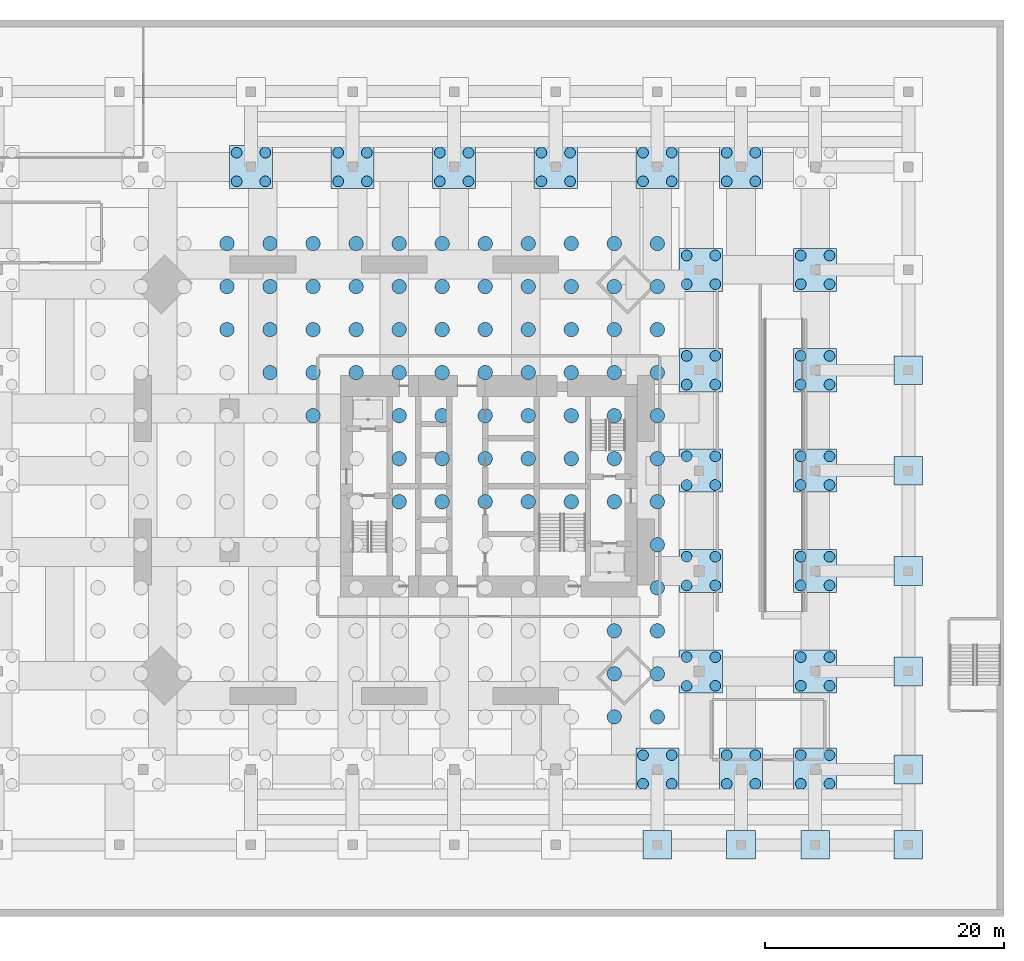
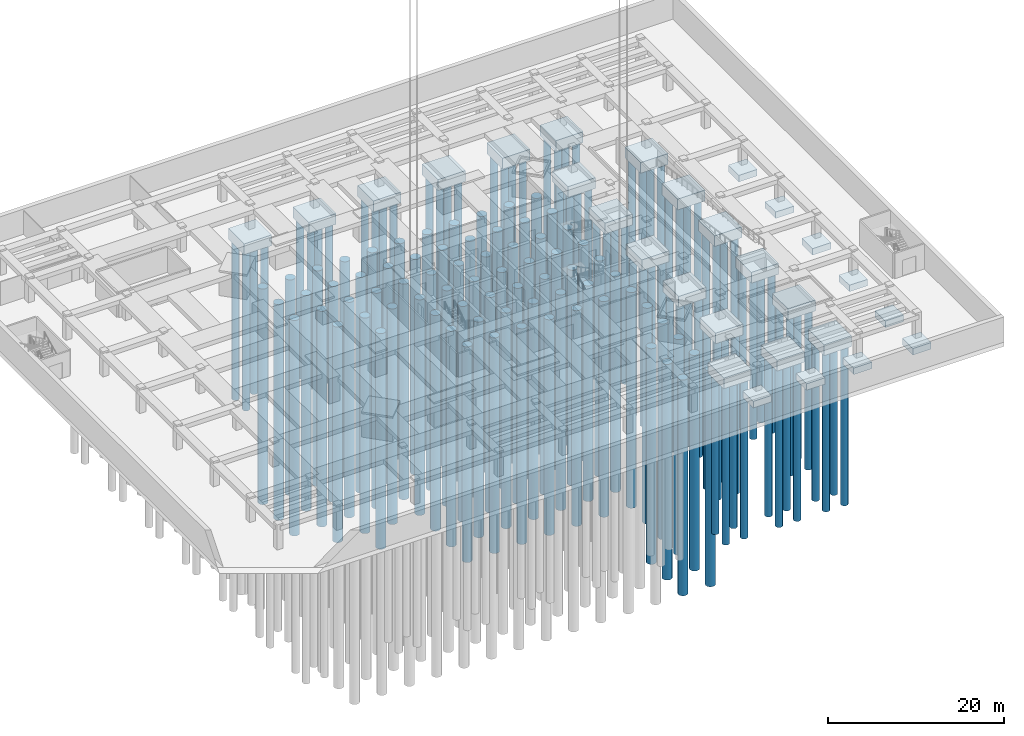
# One storey, part 2 of 15: 149 piles, 28 footings.
"""IFC4 building model written with IfcOpenShell, lengths in metres."""

from ifc_helpers import new_model, si_unit, direction, frame, origin, origin_2d, place, context, subcontext, project, spatial, polyline, circle, outline, extrude, material, layer, layer_set, material_profile, profile_set, type_object, element, save


model = new_model("IFC4")

# Units and contexts
model_context = context("Model", 3, precision=1e-05, world=origin(), true_north=direction((0.0, 1.0)))
body_context = subcontext(model_context, "Body", "Model", "MODEL_VIEW")
ifc_project = project(units=[si_unit("LENGTHUNIT", "METRE"), si_unit("AREAUNIT", "SQUARE_METRE"), si_unit("VOLUMEUNIT", "CUBIC_METRE"), si_unit("PLANEANGLEUNIT", "RADIAN"), si_unit("MASSUNIT", "GRAM", prefix="KILO")], contexts=[model_context])

# Site, building, storey
site_placement = place(None, origin())
site = spatial("IfcSite", under=ifc_project, at=site_placement, CompositionType="ELEMENT")
building_placement = place(site_placement, origin())
building = spatial("IfcBuilding", under=site, at=building_placement, Name="Jalousie Tower", CompositionType="ELEMENT")
storey_placement = place(building_placement, frame((0.0, 0.0, -7.5)))
storey = spatial("IfcBuildingStorey", under=building, at=storey_placement, Name="B2", CompositionType="ELEMENT", Elevation=-7.5)

# Piles
ifc_material_1 = material(Name="Concrete f'c 40 MPa", Category="concrete")
ifc_material_profile_1 = material_profile(ifc_material_1, circle(Radius=0.60009765625, at=origin_2d()), Name="BORED PILE D1200")
ifc_profile_set_1 = profile_set([ifc_material_profile_1], Name="Concrete f'c 40 MPa")
pile_type_1 = type_object("IfcPileType", Name="BORED PILE 1200", PredefinedType="BORED", material=ifc_profile_set_1)
for number, where, z_axis, x_axis, name in (
    (1, (42.39990234375, -0.800048828125, -3.60009765625), (0.0, 0.0, -1.0), (1.0, 0.0, 0.0), "Raft pile R01-13"),
    (2, (46.0, -0.800048828125, -3.60009765625), (0.0, 0.0, -1.0), (1.0, 0.0, 0.0), "Raft pile R01-14"),
    (3, (42.39990234375, 2.800048828125, -3.60009765625), (0.0, 0.0, -1.0), (1.0, 0.0, 0.0), "Raft pile R02-13"),
    (4, (46.0, 2.800048828125, -3.60009765625), (0.0, 0.0, -1.0), (1.0, 0.0, 0.0), "Raft pile R02-14"),
    (5, (42.39990234375, 6.39990234375, -3.60009765625), (0.0, 0.0, -1.0), (1.0, 0.0, 0.0), "Raft pile R03-13"),
    (6, (46.0, 6.39990234375, -3.60009765625), (0.0, 0.0, -1.0), (1.0, 0.0, 0.0), "Raft pile R03-14"),
    (7, (46.0, 10.0, -3.60009765625), (0.0, 0.0, -1.0), (1.0, 0.0, 0.0), "Raft pile R04-14"),
    (8, (46.0, 13.60009765625, -3.60009765625), (0.0, 0.0, -1.0), (1.0, 0.0, 0.0), "Raft pile R05-14"),
    (9, (24.39990234375, 17.199951171875, -3.60009765625), (0.0, 0.0, -1.0), (1.0, 0.0, 0.0), "Raft pile R06-08"),
    (10, (28.0, 17.199951171875, -3.60009765625), (0.0, 0.0, -1.0), (1.0, 0.0, 0.0), "Raft pile R06-09"),
    (11, (31.60009765625, 17.199951171875, -3.60009765625), (0.0, 0.0, -1.0), (1.0, 0.0, 0.0), "Raft pile R06-10"),
    (12, (35.199951171875, 17.199951171875, -3.60009765625), (0.0, 0.0, -1.0), (1.0, 0.0, 0.0), "Raft pile R06-11"),
    (13, (38.800048828125, 17.199951171875, -3.60009765625), (0.0, 0.0, -1.0), (1.0, 0.0, 0.0), "Raft pile R06-12"),
    (14, (42.39990234375, 17.199951171875, -3.60009765625), (0.0, 0.0, -1.0), (1.0, 0.0, 0.0), "Raft pile R06-13"),
    (15, (46.0, 17.199951171875, -3.60009765625), (0.0, 0.0, -1.0), (1.0, 0.0, 0.0), "Raft pile R06-14"),
    (16, (24.39990234375, 20.800048828125, -3.60009765625), (0.0, 0.0, -1.0), (1.0, 0.0, 0.0), "Raft pile R07-08"),
    (17, (28.0, 20.800048828125, -3.60009765625), (0.0, 0.0, -1.0), (1.0, 0.0, 0.0), "Raft pile R07-09"),
    (18, (31.60009765625, 20.800048828125, -3.60009765625), (0.0, 0.0, -1.0), (1.0, 0.0, 0.0), "Raft pile R07-10"),
    (19, (35.199951171875, 20.800048828125, -3.60009765625), (0.0, 0.0, -1.0), (1.0, 0.0, 0.0), "Raft pile R07-11"),
    (20, (38.800048828125, 20.800048828125, -3.60009765625), (0.0, 0.0, -1.0), (1.0, 0.0, 0.0), "Raft pile R07-12"),
    (21, (42.39990234375, 20.800048828125, -3.60009765625), (0.0, 0.0, -1.0), (1.0, 0.0, 0.0), "Raft pile R07-13"),
    (22, (46.0, 20.800048828125, -3.60009765625), (0.0, 0.0, -1.0), (1.0, 0.0, 0.0), "Raft pile R07-14"),
    (23, (17.199951171875, 24.39990234375, -3.60009765625), (0.0, 0.0, -1.0), (1.0, 0.0, 0.0), "Raft pile R08-06"),
    (24, (24.39990234375, 24.39990234375, -3.60009765625), (0.0, 0.0, -1.0), (1.0, 0.0, 0.0), "Raft pile R08-08"),
    (25, (28.0, 24.39990234375, -3.60009765625), (0.0, 0.0, -1.0), (1.0, 0.0, 0.0), "Raft pile R08-09"),
    (26, (31.60009765625, 24.39990234375, -3.60009765625), (0.0, 0.0, -1.0), (1.0, 0.0, 0.0), "Raft pile R08-10"),
    (27, (35.199951171875, 24.39990234375, -3.60009765625), (0.0, 0.0, -1.0), (1.0, 0.0, 0.0), "Raft pile R08-11"),
    (28, (38.800048828125, 24.39990234375, -3.60009765625), (0.0, 0.0, -1.0), (1.0, 0.0, 0.0), "Raft pile R08-12"),
    (29, (42.39990234375, 24.39990234375, -3.60009765625), (0.0, 0.0, -1.0), (1.0, 0.0, 0.0), "Raft pile R08-13"),
    (30, (46.0, 24.39990234375, -3.60009765625), (0.0, 0.0, -1.0), (1.0, 0.0, 0.0), "Raft pile R08-14"),
    (31, (13.60009765625, 28.0, -3.60009765625), (0.0, 0.0, -1.0), (1.0, 0.0, 0.0), "Raft pile R09-05"),
    (32, (17.199951171875, 28.0, -3.60009765625), (0.0, 0.0, -1.0), (1.0, 0.0, 0.0), "Raft pile R09-06"),
    (33, (20.800048828125, 28.0, -3.60009765625), (0.0, 0.0, -1.0), (1.0, 0.0, 0.0), "Raft pile R09-07"),
    (34, (24.39990234375, 28.0, -3.60009765625), (0.0, 0.0, -1.0), (1.0, 0.0, 0.0), "Raft pile R09-08"),
    (35, (28.0, 28.0, -3.60009765625), (0.0, 0.0, -1.0), (1.0, 0.0, 0.0), "Raft pile R09-09"),
    (36, (31.60009765625, 28.0, -3.60009765625), (0.0, 0.0, -1.0), (1.0, 0.0, 0.0), "Raft pile R09-10"),
    (37, (35.199951171875, 28.0, -3.60009765625), (0.0, 0.0, -1.0), (1.0, 0.0, 0.0), "Raft pile R09-11"),
    (38, (38.800048828125, 28.0, -3.60009765625), (0.0, 0.0, -1.0), (1.0, 0.0, 0.0), "Raft pile R09-12"),
    (39, (42.39990234375, 28.0, -3.60009765625), (0.0, 0.0, -1.0), (1.0, 0.0, 0.0), "Raft pile R09-13"),
    (40, (46.0, 28.0, -3.60009765625), (0.0, 0.0, -1.0), (1.0, 0.0, 0.0), "Raft pile R09-14"),
    (41, (10.0, 31.60009765625, -3.60009765625), (0.0, 0.0, -1.0), (1.0, 0.0, 0.0), "Raft pile R10-04"),
    (42, (13.60009765625, 31.60009765625, -3.60009765625), (0.0, 0.0, -1.0), (1.0, 0.0, 0.0), "Raft pile R10-05"),
    (43, (17.199951171875, 31.60009765625, -3.60009765625), (0.0, 0.0, -1.0), (1.0, 0.0, 0.0), "Raft pile R10-06"),
    (44, (20.800048828125, 31.60009765625, -3.60009765625), (0.0, 0.0, -1.0), (1.0, 0.0, 0.0), "Raft pile R10-07"),
    (45, (24.39990234375, 31.60009765625, -3.60009765625), (0.0, 0.0, -1.0), (1.0, 0.0, 0.0), "Raft pile R10-08"),
    (46, (28.0, 31.60009765625, -3.60009765625), (0.0, 0.0, -1.0), (1.0, 0.0, 0.0), "Raft pile R10-09"),
    (47, (31.60009765625, 31.60009765625, -3.60009765625), (0.0, 0.0, -1.0), (1.0, 0.0, 0.0), "Raft pile R10-10"),
    (48, (35.199951171875, 31.60009765625, -3.60009765625), (0.0, 0.0, -1.0), (1.0, 0.0, 0.0), "Raft pile R10-11"),
    (49, (38.800048828125, 31.60009765625, -3.60009765625), (0.0, 0.0, -1.0), (1.0, 0.0, 0.0), "Raft pile R10-12"),
    (50, (42.39990234375, 31.60009765625, -3.60009765625), (0.0, 0.0, -1.0), (1.0, 0.0, 0.0), "Raft pile R10-13"),
    (51, (46.0, 31.60009765625, -3.60009765625), (0.0, 0.0, -1.0), (1.0, 0.0, 0.0), "Raft pile R10-14"),
    (52, (10.0, 35.199951171875, -3.60009765625), (0.0, 0.0, -1.0), (1.0, 0.0, 0.0), "Raft pile R11-04"),
    (53, (13.60009765625, 35.199951171875, -3.60009765625), (0.0, 0.0, -1.0), (1.0, 0.0, 0.0), "Raft pile R11-05"),
    (54, (17.199951171875, 35.199951171875, -3.60009765625), (0.0, 0.0, -1.0), (1.0, 0.0, 0.0), "Raft pile R11-06"),
    (55, (20.800048828125, 35.199951171875, -3.60009765625), (0.0, 0.0, -1.0), (1.0, 0.0, 0.0), "Raft pile R11-07"),
    (56, (24.39990234375, 35.199951171875, -3.60009765625), (0.0, 0.0, -1.0), (1.0, 0.0, 0.0), "Raft pile R11-08"),
    (57, (28.0, 35.199951171875, -3.60009765625), (0.0, 0.0, -1.0), (1.0, 0.0, 0.0), "Raft pile R11-09"),
    (58, (31.60009765625, 35.199951171875, -3.60009765625), (0.0, 0.0, -1.0), (1.0, 0.0, 0.0), "Raft pile R11-10"),
    (59, (35.199951171875, 35.199951171875, -3.60009765625), (0.0, 0.0, -1.0), (1.0, 0.0, 0.0), "Raft pile R11-11"),
    (60, (38.800048828125, 35.199951171875, -3.60009765625), (0.0, 0.0, -1.0), (1.0, 0.0, 0.0), "Raft pile R11-12"),
    (61, (42.39990234375, 35.199951171875, -3.60009765625), (0.0, 0.0, -1.0), (1.0, 0.0, 0.0), "Raft pile R11-13"),
    (62, (46.0, 35.199951171875, -3.60009765625), (0.0, 0.0, -1.0), (1.0, 0.0, 0.0), "Raft pile R11-14"),
    (63, (10.0, 38.800048828125, -3.60009765625), (0.0, 0.0, -1.0), (1.0, 0.0, 0.0), "Raft pile R12-04"),
    (64, (13.60009765625, 38.800048828125, -3.60009765625), (0.0, 0.0, -1.0), (1.0, 0.0, 0.0), "Raft pile R12-05"),
    (65, (17.199951171875, 38.800048828125, -3.60009765625), (0.0, 0.0, -1.0), (1.0, 0.0, 0.0), "Raft pile R12-06"),
    (66, (20.800048828125, 38.800048828125, -3.60009765625), (0.0, 0.0, -1.0), (1.0, 0.0, 0.0), "Raft pile R12-07"),
    (67, (24.39990234375, 38.800048828125, -3.60009765625), (0.0, 0.0, -1.0), (1.0, 0.0, 0.0), "Raft pile R12-08"),
    (68, (28.0, 38.800048828125, -3.60009765625), (0.0, 0.0, -1.0), (1.0, 0.0, 0.0), "Raft pile R12-09"),
    (69, (31.60009765625, 38.800048828125, -3.60009765625), (0.0, 0.0, -1.0), (1.0, 0.0, 0.0), "Raft pile R12-10"),
    (70, (35.199951171875, 38.800048828125, -3.60009765625), (0.0, 0.0, -1.0), (1.0, 0.0, 0.0), "Raft pile R12-11"),
    (71, (38.800048828125, 38.800048828125, -3.60009765625), (0.0, 0.0, -1.0), (1.0, 0.0, 0.0), "Raft pile R12-12"),
    (72, (42.39990234375, 38.800048828125, -3.60009765625), (0.0, 0.0, -1.0), (1.0, 0.0, 0.0), "Raft pile R12-13"),
    (73, (46.0, 38.800048828125, -3.60009765625), (0.0, 0.0, -1.0), (1.0, 0.0, 0.0), "Raft pile R12-14"),
):
    element("IfcPile", number, at=place(storey_placement, frame(where, z_axis=z_axis, x_axis=x_axis)), inside=storey, type_object=pile_type_1, Name=name, PredefinedType="BORED", context=body_context, shape_type="SweptSolid", body=[
        extrude(circle(Radius=0.60009765625, at=origin_2d()), origin(), (0.0, 0.0, 1.0), 30.0),
    ])
ifc_material_2 = material(Name="Concrete f'c 40 MPa", Category="concrete")
ifc_material_profile_2 = material_profile(ifc_material_2, circle(Radius=0.449951171875, at=origin_2d()), Name="BORED PILE D900")
ifc_profile_set_2 = profile_set([ifc_material_profile_2], Name="Concrete f'c 40 MPa")
pile_type_2 = type_object("IfcPileType", Name="BORED PILE 900", PredefinedType="BORED", material=ifc_profile_set_2)
for number, where, z_axis, x_axis, name in (
    (74, (44.800048828125, -6.39990234375, -2.10009765625), (0.0, 0.0, -1.0), (1.0, 0.0, 0.0), "Pile PC4-07/1"),
    (75, (47.199951171875, -6.39990234375, -2.10009765625), (0.0, 0.0, -1.0), (1.0, 0.0, 0.0), "Pile PC4-07/2"),
    (76, (47.199951171875, -4.0, -2.10009765625), (0.0, 0.0, -1.0), (1.0, 0.0, 0.0), "Pile PC4-07/3"),
    (77, (44.800048828125, -4.0, -2.10009765625), (0.0, 0.0, -1.0), (1.0, 0.0, 0.0), "Pile PC4-07/4"),
    (78, (51.800048828125, -6.39990234375, -2.10009765625), (0.0, 0.0, -1.0), (1.0, 0.0, 0.0), "Pile PC4-08/1"),
    (79, (54.199951171875, -6.39990234375, -2.10009765625), (0.0, 0.0, -1.0), (1.0, 0.0, 0.0), "Pile PC4-08/2"),
    (80, (54.199951171875, -4.0, -2.10009765625), (0.0, 0.0, -1.0), (1.0, 0.0, 0.0), "Pile PC4-08/3"),
    (81, (51.800048828125, -4.0, -2.10009765625), (0.0, 0.0, -1.0), (1.0, 0.0, 0.0), "Pile PC4-08/4"),
    (82, (58.0, -6.39990234375, -2.10009765625), (0.0, 0.0, -1.0), (1.0, 0.0, 0.0), "Pile PC4-09/1"),
    (83, (60.39990234375, -6.39990234375, -2.10009765625), (0.0, 0.0, -1.0), (1.0, 0.0, 0.0), "Pile PC4-09/2"),
    (84, (60.39990234375, -4.0, -2.10009765625), (0.0, 0.0, -1.0), (1.0, 0.0, 0.0), "Pile PC4-09/3"),
    (85, (58.0, -4.0, -2.10009765625), (0.0, 0.0, -1.0), (1.0, 0.0, 0.0), "Pile PC4-09/4"),
    (86, (48.449951171875, 1.800048828125, -2.10009765625), (0.0, 0.0, -1.0), (1.0, 0.0, 0.0), "Pile PC4-11/1"),
    (87, (50.85009765625, 1.800048828125, -2.10009765625), (0.0, 0.0, -1.0), (1.0, 0.0, 0.0), "Pile PC4-11/2"),
    (88, (50.85009765625, 4.199951171875, -2.10009765625), (0.0, 0.0, -1.0), (1.0, 0.0, 0.0), "Pile PC4-11/3"),
    (89, (48.449951171875, 4.199951171875, -2.10009765625), (0.0, 0.0, -1.0), (1.0, 0.0, 0.0), "Pile PC4-11/4"),
    (90, (58.0, 1.800048828125, -2.10009765625), (0.0, 0.0, -1.0), (1.0, 0.0, 0.0), "Pile PC4-12/1"),
    (91, (60.39990234375, 1.800048828125, -2.10009765625), (0.0, 0.0, -1.0), (1.0, 0.0, 0.0), "Pile PC4-12/2"),
    (92, (60.39990234375, 4.199951171875, -2.10009765625), (0.0, 0.0, -1.0), (1.0, 0.0, 0.0), "Pile PC4-12/3"),
    (93, (58.0, 4.199951171875, -2.10009765625), (0.0, 0.0, -1.0), (1.0, 0.0, 0.0), "Pile PC4-12/4"),
    (94, (48.449951171875, 10.199951171875, -2.10009765625), (0.0, 0.0, -1.0), (1.0, 0.0, 0.0), "Pile PC4-14/1"),
    (95, (50.85009765625, 10.199951171875, -2.10009765625), (0.0, 0.0, -1.0), (1.0, 0.0, 0.0), "Pile PC4-14/2"),
    (96, (50.85009765625, 12.60009765625, -2.10009765625), (0.0, 0.0, -1.0), (1.0, 0.0, 0.0), "Pile PC4-14/3"),
    (97, (48.449951171875, 12.60009765625, -2.10009765625), (0.0, 0.0, -1.0), (1.0, 0.0, 0.0), "Pile PC4-14/4"),
    (98, (58.0, 10.199951171875, -2.10009765625), (0.0, 0.0, -1.0), (1.0, 0.0, 0.0), "Pile PC4-15/1"),
    (99, (60.39990234375, 10.199951171875, -2.10009765625), (0.0, 0.0, -1.0), (1.0, 0.0, 0.0), "Pile PC4-15/2"),
    (100, (60.39990234375, 12.60009765625, -2.10009765625), (0.0, 0.0, -1.0), (1.0, 0.0, 0.0), "Pile PC4-15/3"),
    (101, (58.0, 12.60009765625, -2.10009765625), (0.0, 0.0, -1.0), (1.0, 0.0, 0.0), "Pile PC4-15/4"),
    (102, (48.449951171875, 18.60009765625, -2.10009765625), (0.0, 0.0, -1.0), (1.0, 0.0, 0.0), "Pile PC4-17/1"),
    (103, (50.85009765625, 18.60009765625, -2.10009765625), (0.0, 0.0, -1.0), (1.0, 0.0, 0.0), "Pile PC4-17/2"),
    (104, (50.85009765625, 21.0, -2.10009765625), (0.0, 0.0, -1.0), (1.0, 0.0, 0.0), "Pile PC4-17/3"),
    (105, (48.449951171875, 21.0, -2.10009765625), (0.0, 0.0, -1.0), (1.0, 0.0, 0.0), "Pile PC4-17/4"),
    (106, (58.0, 18.60009765625, -2.10009765625), (0.0, 0.0, -1.0), (1.0, 0.0, 0.0), "Pile PC4-18/1"),
    (107, (60.39990234375, 18.60009765625, -2.10009765625), (0.0, 0.0, -1.0), (1.0, 0.0, 0.0), "Pile PC4-18/2"),
    (108, (60.39990234375, 21.0, -2.10009765625), (0.0, 0.0, -1.0), (1.0, 0.0, 0.0), "Pile PC4-18/3"),
    (109, (58.0, 21.0, -2.10009765625), (0.0, 0.0, -1.0), (1.0, 0.0, 0.0), "Pile PC4-18/4"),
    (110, (48.449951171875, 27.0, -2.10009765625), (0.0, 0.0, -1.0), (1.0, 0.0, 0.0), "Pile PC4-20/1"),
    (111, (50.85009765625, 27.0, -2.10009765625), (0.0, 0.0, -1.0), (1.0, 0.0, 0.0), "Pile PC4-20/2"),
    (112, (50.85009765625, 29.39990234375, -2.10009765625), (0.0, 0.0, -1.0), (1.0, 0.0, 0.0), "Pile PC4-20/3"),
    (113, (48.449951171875, 29.39990234375, -2.10009765625), (0.0, 0.0, -1.0), (1.0, 0.0, 0.0), "Pile PC4-20/4"),
    (114, (58.0, 27.0, -2.10009765625), (0.0, 0.0, -1.0), (1.0, 0.0, 0.0), "Pile PC4-21/1"),
    (115, (60.39990234375, 27.0, -2.10009765625), (0.0, 0.0, -1.0), (1.0, 0.0, 0.0), "Pile PC4-21/2"),
    (116, (60.39990234375, 29.39990234375, -2.10009765625), (0.0, 0.0, -1.0), (1.0, 0.0, 0.0), "Pile PC4-21/3"),
    (117, (58.0, 29.39990234375, -2.10009765625), (0.0, 0.0, -1.0), (1.0, 0.0, 0.0), "Pile PC4-21/4"),
    (118, (48.449951171875, 35.39990234375, -2.10009765625), (0.0, 0.0, -1.0), (1.0, 0.0, 0.0), "Pile PC4-23/1"),
    (119, (50.85009765625, 35.39990234375, -2.10009765625), (0.0, 0.0, -1.0), (1.0, 0.0, 0.0), "Pile PC4-23/2"),
    (120, (50.85009765625, 37.800048828125, -2.10009765625), (0.0, 0.0, -1.0), (1.0, 0.0, 0.0), "Pile PC4-23/3"),
    (121, (48.449951171875, 37.800048828125, -2.10009765625), (0.0, 0.0, -1.0), (1.0, 0.0, 0.0), "Pile PC4-23/4"),
    (122, (58.0, 35.39990234375, -2.10009765625), (0.0, 0.0, -1.0), (1.0, 0.0, 0.0), "Pile PC4-24/1"),
    (123, (60.39990234375, 35.39990234375, -2.10009765625), (0.0, 0.0, -1.0), (1.0, 0.0, 0.0), "Pile PC4-24/2"),
    (124, (60.39990234375, 37.800048828125, -2.10009765625), (0.0, 0.0, -1.0), (1.0, 0.0, 0.0), "Pile PC4-24/3"),
    (125, (58.0, 37.800048828125, -2.10009765625), (0.0, 0.0, -1.0), (1.0, 0.0, 0.0), "Pile PC4-24/4"),
    (126, (10.800048828125, 44.0, -2.10009765625), (0.0, 0.0, -1.0), (1.0, 0.0, 0.0), "Pile PC4-27/1"),
    (127, (13.199951171875, 44.0, -2.10009765625), (0.0, 0.0, -1.0), (1.0, 0.0, 0.0), "Pile PC4-27/2"),
    (128, (13.199951171875, 46.39990234375, -2.10009765625), (0.0, 0.0, -1.0), (1.0, 0.0, 0.0), "Pile PC4-27/3"),
    (129, (10.800048828125, 46.39990234375, -2.10009765625), (0.0, 0.0, -1.0), (1.0, 0.0, 0.0), "Pile PC4-27/4"),
    (130, (19.300048828125, 44.0, -2.10009765625), (0.0, 0.0, -1.0), (1.0, 0.0, 0.0), "Pile PC4-28/1"),
    (131, (21.699951171875, 44.0, -2.10009765625), (0.0, 0.0, -1.0), (1.0, 0.0, 0.0), "Pile PC4-28/2"),
    (132, (21.699951171875, 46.39990234375, -2.10009765625), (0.0, 0.0, -1.0), (1.0, 0.0, 0.0), "Pile PC4-28/3"),
    (133, (19.300048828125, 46.39990234375, -2.10009765625), (0.0, 0.0, -1.0), (1.0, 0.0, 0.0), "Pile PC4-28/4"),
    (134, (27.800048828125, 44.0, -2.10009765625), (0.0, 0.0, -1.0), (1.0, 0.0, 0.0), "Pile PC4-29/1"),
    (135, (30.199951171875, 44.0, -2.10009765625), (0.0, 0.0, -1.0), (1.0, 0.0, 0.0), "Pile PC4-29/2"),
    (136, (30.199951171875, 46.39990234375, -2.10009765625), (0.0, 0.0, -1.0), (1.0, 0.0, 0.0), "Pile PC4-29/3"),
    (137, (27.800048828125, 46.39990234375, -2.10009765625), (0.0, 0.0, -1.0), (1.0, 0.0, 0.0), "Pile PC4-29/4"),
    (138, (36.300048828125, 44.0, -2.10009765625), (0.0, 0.0, -1.0), (1.0, 0.0, 0.0), "Pile PC4-30/1"),
    (139, (38.699951171875, 44.0, -2.10009765625), (0.0, 0.0, -1.0), (1.0, 0.0, 0.0), "Pile PC4-30/2"),
    (140, (38.699951171875, 46.39990234375, -2.10009765625), (0.0, 0.0, -1.0), (1.0, 0.0, 0.0), "Pile PC4-30/3"),
    (141, (36.300048828125, 46.39990234375, -2.10009765625), (0.0, 0.0, -1.0), (1.0, 0.0, 0.0), "Pile PC4-30/4"),
    (142, (44.800048828125, 44.0, -2.10009765625), (0.0, 0.0, -1.0), (1.0, 0.0, 0.0), "Pile PC4-31/1"),
    (143, (47.199951171875, 44.0, -2.10009765625), (0.0, 0.0, -1.0), (1.0, 0.0, 0.0), "Pile PC4-31/2"),
    (144, (47.199951171875, 46.39990234375, -2.10009765625), (0.0, 0.0, -1.0), (1.0, 0.0, 0.0), "Pile PC4-31/3"),
    (145, (44.800048828125, 46.39990234375, -2.10009765625), (0.0, 0.0, -1.0), (1.0, 0.0, 0.0), "Pile PC4-31/4"),
    (146, (51.800048828125, 44.0, -2.10009765625), (0.0, 0.0, -1.0), (1.0, 0.0, 0.0), "Pile PC4-32/1"),
    (147, (54.199951171875, 44.0, -2.10009765625), (0.0, 0.0, -1.0), (1.0, 0.0, 0.0), "Pile PC4-32/2"),
    (148, (54.199951171875, 46.39990234375, -2.10009765625), (0.0, 0.0, -1.0), (1.0, 0.0, 0.0), "Pile PC4-32/3"),
    (149, (51.800048828125, 46.39990234375, -2.10009765625), (0.0, 0.0, -1.0), (1.0, 0.0, 0.0), "Pile PC4-32/4"),
):
    element("IfcPile", number, at=place(storey_placement, frame(where, z_axis=z_axis, x_axis=x_axis)), inside=storey, type_object=pile_type_2, Name=name, PredefinedType="BORED", context=body_context, shape_type="SweptSolid", body=[
        extrude(circle(Radius=0.449951171875, at=origin_2d()), origin(), (0.0, 0.0, 1.0), 22.0),
    ])

# Footings
ifc_material_3 = material(Name="Concrete f'c 40 MPa", Category="concrete")
ifc_layer_1 = layer(ifc_material_3, 0.89990234375)
ifc_layer_set_1 = layer_set([ifc_layer_1], Name="Concrete f'c 40 MPa")
footing_type_1 = type_object("IfcFootingType", Name="PAD FOOTING 2400", PredefinedType="PAD_FOOTING", material=ifc_layer_set_1)
footing_1_placement = place(storey_placement, frame((0.0, 0.0, -1.5)))
element("IfcFooting", 150, at=footing_1_placement, inside=storey, type_object=footing_type_1, Name="Pad footing PF-22", PredefinedType="PAD_FOOTING", context=body_context, shape_type="SweptSolid", body=[
    extrude(outline(polyline([(44.800048828125, -12.699951171875), (47.199951171875, -12.699951171875), (47.199951171875, -10.300048828125), (44.800048828125, -10.300048828125), (44.800048828125, -12.699951171875)])), origin(), (0.0, 0.0, 1.0), 0.89990234375),
])
footing_2_placement = place(storey_placement, frame((0.0, 0.0, -1.5)))
element("IfcFooting", 151, at=footing_2_placement, inside=storey, type_object=footing_type_1, Name="Pad footing PF-24", PredefinedType="PAD_FOOTING", context=body_context, shape_type="SweptSolid", body=[
    extrude(outline(polyline([(51.800048828125, -12.699951171875), (54.199951171875, -12.699951171875), (54.199951171875, -10.300048828125), (51.800048828125, -10.300048828125), (51.800048828125, -12.699951171875)])), origin(), (0.0, 0.0, 1.0), 0.89990234375),
])
footing_3_placement = place(storey_placement, frame((0.0, 0.0, -1.5)))
element("IfcFooting", 152, at=footing_3_placement, inside=storey, type_object=footing_type_1, Name="Pad footing PF-26", PredefinedType="PAD_FOOTING", context=body_context, shape_type="SweptSolid", body=[
    extrude(outline(polyline([(58.0, -12.699951171875), (60.39990234375, -12.699951171875), (60.39990234375, -10.300048828125), (58.0, -10.300048828125), (58.0, -12.699951171875)])), origin(), (0.0, 0.0, 1.0), 0.89990234375),
])
footing_4_placement = place(storey_placement, frame((0.0, 0.0, -1.5)))
element("IfcFooting", 153, at=footing_4_placement, inside=storey, type_object=footing_type_1, Name="Pad footing PF-28", PredefinedType="PAD_FOOTING", context=body_context, shape_type="SweptSolid", body=[
    extrude(outline(polyline([(65.800048828125, -12.699951171875), (68.199951171875, -12.699951171875), (68.199951171875, -10.300048828125), (65.800048828125, -10.300048828125), (65.800048828125, -12.699951171875)])), origin(), (0.0, 0.0, 1.0), 0.89990234375),
])
footing_5_placement = place(storey_placement, frame((0.0, 0.0, -1.5)))
element("IfcFooting", 154, at=footing_5_placement, inside=storey, type_object=footing_type_1, Name="Pad footing PF-29", PredefinedType="PAD_FOOTING", context=body_context, shape_type="SweptSolid", body=[
    extrude(outline(polyline([(65.800048828125, -6.39990234375), (68.199951171875, -6.39990234375), (68.199951171875, -4.0), (65.800048828125, -4.0), (65.800048828125, -6.39990234375)])), origin(), (0.0, 0.0, 1.0), 0.89990234375),
])
footing_6_placement = place(storey_placement, frame((0.0, 0.0, -1.5)))
element("IfcFooting", 155, at=footing_6_placement, inside=storey, type_object=footing_type_1, Name="Pad footing PF-30", PredefinedType="PAD_FOOTING", context=body_context, shape_type="SweptSolid", body=[
    extrude(outline(polyline([(65.800048828125, 1.800048828125), (68.199951171875, 1.800048828125), (68.199951171875, 4.199951171875), (65.800048828125, 4.199951171875), (65.800048828125, 1.800048828125)])), origin(), (0.0, 0.0, 1.0), 0.89990234375),
])
footing_7_placement = place(storey_placement, frame((0.0, 0.0, -1.5)))
element("IfcFooting", 156, at=footing_7_placement, inside=storey, type_object=footing_type_1, Name="Pad footing PF-31", PredefinedType="PAD_FOOTING", context=body_context, shape_type="SweptSolid", body=[
    extrude(outline(polyline([(65.800048828125, 10.199951171875), (68.199951171875, 10.199951171875), (68.199951171875, 12.60009765625), (65.800048828125, 12.60009765625), (65.800048828125, 10.199951171875)])), origin(), (0.0, 0.0, 1.0), 0.89990234375),
])
footing_8_placement = place(storey_placement, frame((0.0, 0.0, -1.5)))
element("IfcFooting", 157, at=footing_8_placement, inside=storey, type_object=footing_type_1, Name="Pad footing PF-32", PredefinedType="PAD_FOOTING", context=body_context, shape_type="SweptSolid", body=[
    extrude(outline(polyline([(65.800048828125, 18.60009765625), (68.199951171875, 18.60009765625), (68.199951171875, 21.0), (65.800048828125, 21.0), (65.800048828125, 18.60009765625)])), origin(), (0.0, 0.0, 1.0), 0.89990234375),
])
footing_9_placement = place(storey_placement, frame((0.0, 0.0, -1.5)))
element("IfcFooting", 158, at=footing_9_placement, inside=storey, type_object=footing_type_1, Name="Pad footing PF-33", PredefinedType="PAD_FOOTING", context=body_context, shape_type="SweptSolid", body=[
    extrude(outline(polyline([(65.800048828125, 27.0), (68.199951171875, 27.0), (68.199951171875, 29.39990234375), (65.800048828125, 29.39990234375), (65.800048828125, 27.0)])), origin(), (0.0, 0.0, 1.0), 0.89990234375),
])
ifc_material_4 = material(Name="Concrete f'c 40 MPa", Category="concrete")
ifc_layer_2 = layer(ifc_material_4, 1.5)
ifc_layer_set_2 = layer_set([ifc_layer_2], Name="Concrete f'c 40 MPa")
footing_type_2 = type_object("IfcFootingType", Name="PILE CAP 4P 1500", PredefinedType="PILE_CAP", material=ifc_layer_set_2)
footing_10_placement = place(storey_placement, frame((0.0, 0.0, -2.10009765625)))
element("IfcFooting", 159, at=footing_10_placement, inside=storey, type_object=footing_type_2, Name="Pile cap PC4-07", PredefinedType="PILE_CAP", context=body_context, shape_type="SweptSolid", body=[
    extrude(outline(polyline([(44.199951171875, -7.0), (47.800048828125, -7.0), (47.800048828125, -3.39990234375), (44.199951171875, -3.39990234375), (44.199951171875, -7.0)])), origin(), (0.0, 0.0, 1.0), 1.5),
])
footing_11_placement = place(storey_placement, frame((0.0, 0.0, -2.10009765625)))
element("IfcFooting", 160, at=footing_11_placement, inside=storey, type_object=footing_type_2, Name="Pile cap PC4-08", PredefinedType="PILE_CAP", context=body_context, shape_type="SweptSolid", body=[
    extrude(outline(polyline([(51.199951171875, -7.0), (54.800048828125, -7.0), (54.800048828125, -3.39990234375), (51.199951171875, -3.39990234375), (51.199951171875, -7.0)])), origin(), (0.0, 0.0, 1.0), 1.5),
])
footing_12_placement = place(storey_placement, frame((0.0, 0.0, -2.10009765625)))
element("IfcFooting", 161, at=footing_12_placement, inside=storey, type_object=footing_type_2, Name="Pile cap PC4-09", PredefinedType="PILE_CAP", context=body_context, shape_type="SweptSolid", body=[
    extrude(outline(polyline([(57.39990234375, -7.0), (61.0, -7.0), (61.0, -3.39990234375), (57.39990234375, -3.39990234375), (57.39990234375, -7.0)])), origin(), (0.0, 0.0, 1.0), 1.5),
])
footing_13_placement = place(storey_placement, frame((0.0, 0.0, -2.10009765625)))
element("IfcFooting", 162, at=footing_13_placement, inside=storey, type_object=footing_type_2, Name="Pile cap PC4-11", PredefinedType="PILE_CAP", context=body_context, shape_type="SweptSolid", body=[
    extrude(outline(polyline([(47.85009765625, 1.199951171875), (51.449951171875, 1.199951171875), (51.449951171875, 4.800048828125), (47.85009765625, 4.800048828125), (47.85009765625, 1.199951171875)])), origin(), (0.0, 0.0, 1.0), 1.5),
])
footing_14_placement = place(storey_placement, frame((0.0, 0.0, -2.10009765625)))
element("IfcFooting", 163, at=footing_14_placement, inside=storey, type_object=footing_type_2, Name="Pile cap PC4-12", PredefinedType="PILE_CAP", context=body_context, shape_type="SweptSolid", body=[
    extrude(outline(polyline([(57.39990234375, 1.199951171875), (61.0, 1.199951171875), (61.0, 4.800048828125), (57.39990234375, 4.800048828125), (57.39990234375, 1.199951171875)])), origin(), (0.0, 0.0, 1.0), 1.5),
])
footing_15_placement = place(storey_placement, frame((0.0, 0.0, -2.10009765625)))
element("IfcFooting", 164, at=footing_15_placement, inside=storey, type_object=footing_type_2, Name="Pile cap PC4-14", PredefinedType="PILE_CAP", context=body_context, shape_type="SweptSolid", body=[
    extrude(outline(polyline([(47.85009765625, 9.60009765625), (51.449951171875, 9.60009765625), (51.449951171875, 13.199951171875), (47.85009765625, 13.199951171875), (47.85009765625, 9.60009765625)])), origin(), (0.0, 0.0, 1.0), 1.5),
])
footing_16_placement = place(storey_placement, frame((0.0, 0.0, -2.10009765625)))
element("IfcFooting", 165, at=footing_16_placement, inside=storey, type_object=footing_type_2, Name="Pile cap PC4-15", PredefinedType="PILE_CAP", context=body_context, shape_type="SweptSolid", body=[
    extrude(outline(polyline([(57.39990234375, 9.60009765625), (61.0, 9.60009765625), (61.0, 13.199951171875), (57.39990234375, 13.199951171875), (57.39990234375, 9.60009765625)])), origin(), (0.0, 0.0, 1.0), 1.5),
])
footing_17_placement = place(storey_placement, frame((0.0, 0.0, -2.10009765625)))
element("IfcFooting", 166, at=footing_17_placement, inside=storey, type_object=footing_type_2, Name="Pile cap PC4-17", PredefinedType="PILE_CAP", context=body_context, shape_type="SweptSolid", body=[
    extrude(outline(polyline([(47.85009765625, 18.0), (51.449951171875, 18.0), (51.449951171875, 21.60009765625), (47.85009765625, 21.60009765625), (47.85009765625, 18.0)])), origin(), (0.0, 0.0, 1.0), 1.5),
])
footing_18_placement = place(storey_placement, frame((0.0, 0.0, -2.10009765625)))
element("IfcFooting", 167, at=footing_18_placement, inside=storey, type_object=footing_type_2, Name="Pile cap PC4-18", PredefinedType="PILE_CAP", context=body_context, shape_type="SweptSolid", body=[
    extrude(outline(polyline([(57.39990234375, 18.0), (61.0, 18.0), (61.0, 21.60009765625), (57.39990234375, 21.60009765625), (57.39990234375, 18.0)])), origin(), (0.0, 0.0, 1.0), 1.5),
])
footing_19_placement = place(storey_placement, frame((0.0, 0.0, -2.10009765625)))
element("IfcFooting", 168, at=footing_19_placement, inside=storey, type_object=footing_type_2, Name="Pile cap PC4-20", PredefinedType="PILE_CAP", context=body_context, shape_type="SweptSolid", body=[
    extrude(outline(polyline([(47.85009765625, 26.39990234375), (51.449951171875, 26.39990234375), (51.449951171875, 30.0), (47.85009765625, 30.0), (47.85009765625, 26.39990234375)])), origin(), (0.0, 0.0, 1.0), 1.5),
])
footing_20_placement = place(storey_placement, frame((0.0, 0.0, -2.10009765625)))
element("IfcFooting", 169, at=footing_20_placement, inside=storey, type_object=footing_type_2, Name="Pile cap PC4-21", PredefinedType="PILE_CAP", context=body_context, shape_type="SweptSolid", body=[
    extrude(outline(polyline([(57.39990234375, 26.39990234375), (61.0, 26.39990234375), (61.0, 30.0), (57.39990234375, 30.0), (57.39990234375, 26.39990234375)])), origin(), (0.0, 0.0, 1.0), 1.5),
])
footing_21_placement = place(storey_placement, frame((0.0, 0.0, -2.10009765625)))
element("IfcFooting", 170, at=footing_21_placement, inside=storey, type_object=footing_type_2, Name="Pile cap PC4-23", PredefinedType="PILE_CAP", context=body_context, shape_type="SweptSolid", body=[
    extrude(outline(polyline([(47.85009765625, 34.800048828125), (51.449951171875, 34.800048828125), (51.449951171875, 38.39990234375), (47.85009765625, 38.39990234375), (47.85009765625, 34.800048828125)])), origin(), (0.0, 0.0, 1.0), 1.5),
])
footing_22_placement = place(storey_placement, frame((0.0, 0.0, -2.10009765625)))
element("IfcFooting", 171, at=footing_22_placement, inside=storey, type_object=footing_type_2, Name="Pile cap PC4-24", PredefinedType="PILE_CAP", context=body_context, shape_type="SweptSolid", body=[
    extrude(outline(polyline([(57.39990234375, 34.800048828125), (61.0, 34.800048828125), (61.0, 38.39990234375), (57.39990234375, 38.39990234375), (57.39990234375, 34.800048828125)])), origin(), (0.0, 0.0, 1.0), 1.5),
])
footing_23_placement = place(storey_placement, frame((0.0, 0.0, -2.10009765625)))
element("IfcFooting", 172, at=footing_23_placement, inside=storey, type_object=footing_type_2, Name="Pile cap PC4-27", PredefinedType="PILE_CAP", context=body_context, shape_type="SweptSolid", body=[
    extrude(outline(polyline([(10.199951171875, 43.39990234375), (13.800048828125, 43.39990234375), (13.800048828125, 47.0), (10.199951171875, 47.0), (10.199951171875, 43.39990234375)])), origin(), (0.0, 0.0, 1.0), 1.5),
])
footing_24_placement = place(storey_placement, frame((0.0, 0.0, -2.10009765625)))
element("IfcFooting", 173, at=footing_24_placement, inside=storey, type_object=footing_type_2, Name="Pile cap PC4-28", PredefinedType="PILE_CAP", context=body_context, shape_type="SweptSolid", body=[
    extrude(outline(polyline([(18.699951171875, 43.39990234375), (22.300048828125, 43.39990234375), (22.300048828125, 47.0), (18.699951171875, 47.0), (18.699951171875, 43.39990234375)])), origin(), (0.0, 0.0, 1.0), 1.5),
])
footing_25_placement = place(storey_placement, frame((0.0, 0.0, -2.10009765625)))
element("IfcFooting", 174, at=footing_25_placement, inside=storey, type_object=footing_type_2, Name="Pile cap PC4-29", PredefinedType="PILE_CAP", context=body_context, shape_type="SweptSolid", body=[
    extrude(outline(polyline([(27.199951171875, 43.39990234375), (30.800048828125, 43.39990234375), (30.800048828125, 47.0), (27.199951171875, 47.0), (27.199951171875, 43.39990234375)])), origin(), (0.0, 0.0, 1.0), 1.5),
])
footing_26_placement = place(storey_placement, frame((0.0, 0.0, -2.10009765625)))
element("IfcFooting", 175, at=footing_26_placement, inside=storey, type_object=footing_type_2, Name="Pile cap PC4-30", PredefinedType="PILE_CAP", context=body_context, shape_type="SweptSolid", body=[
    extrude(outline(polyline([(35.699951171875, 43.39990234375), (39.300048828125, 43.39990234375), (39.300048828125, 47.0), (35.699951171875, 47.0), (35.699951171875, 43.39990234375)])), origin(), (0.0, 0.0, 1.0), 1.5),
])
footing_27_placement = place(storey_placement, frame((0.0, 0.0, -2.10009765625)))
element("IfcFooting", 176, at=footing_27_placement, inside=storey, type_object=footing_type_2, Name="Pile cap PC4-31", PredefinedType="PILE_CAP", context=body_context, shape_type="SweptSolid", body=[
    extrude(outline(polyline([(44.199951171875, 43.39990234375), (47.800048828125, 43.39990234375), (47.800048828125, 47.0), (44.199951171875, 47.0), (44.199951171875, 43.39990234375)])), origin(), (0.0, 0.0, 1.0), 1.5),
])
footing_28_placement = place(storey_placement, frame((0.0, 0.0, -2.10009765625)))
element("IfcFooting", 177, at=footing_28_placement, inside=storey, type_object=footing_type_2, Name="Pile cap PC4-32", PredefinedType="PILE_CAP", context=body_context, shape_type="SweptSolid", body=[
    extrude(outline(polyline([(51.199951171875, 43.39990234375), (54.800048828125, 43.39990234375), (54.800048828125, 47.0), (51.199951171875, 47.0), (51.199951171875, 43.39990234375)])), origin(), (0.0, 0.0, 1.0), 1.5),
])

save(model, "model.ifc")
